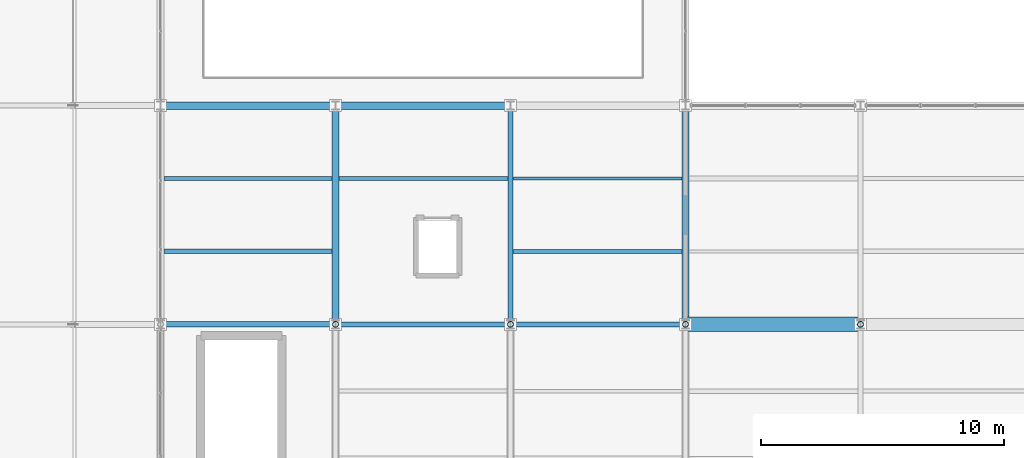
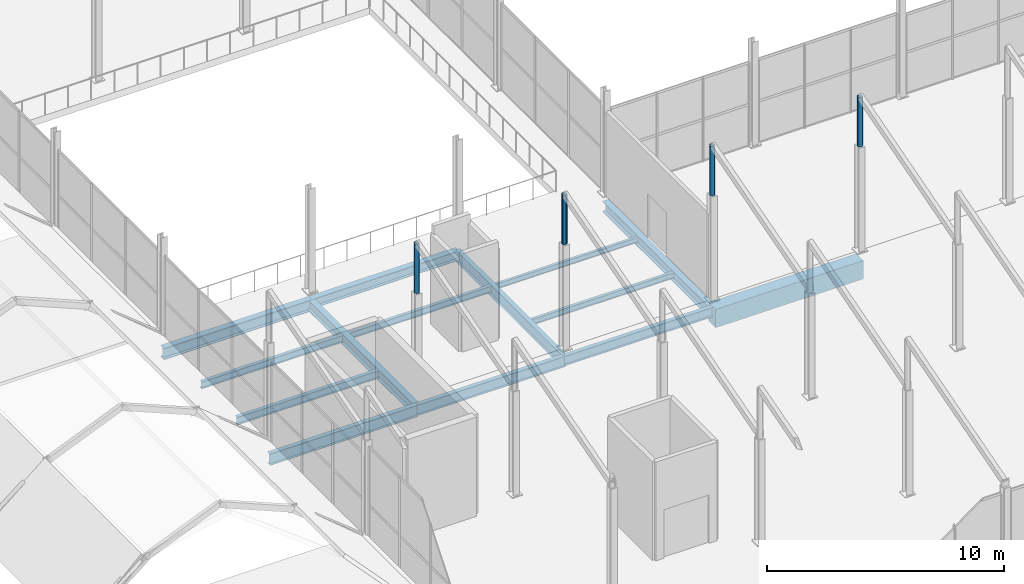
# One storey, part 37 of 141: 14 beams, 4 members.
"""IFC4 building model written with IfcOpenShell, lengths in metres."""

from ifc_helpers import new_model, si_unit, direction, frame, origin, origin_2d, place, context, subcontext, project, spatial, rectangle, hollow_circle, i_section, extrude, material, material_profile, profile_set, type_object, element, save


model = new_model("IFC4")

# Units and contexts
model_context = context("Model", 3, precision=1e-05, world=origin(), true_north=direction((0.0, 1.0)))
body_context = subcontext(model_context, "Body", "Model", "MODEL_VIEW")
ifc_project = project(units=[si_unit("LENGTHUNIT", "METRE"), si_unit("AREAUNIT", "SQUARE_METRE"), si_unit("VOLUMEUNIT", "CUBIC_METRE"), si_unit("PLANEANGLEUNIT", "RADIAN"), si_unit("MASSUNIT", "GRAM", prefix="KILO")], contexts=[model_context])

# Site, building, storey
site_placement = place(None, origin())
site = spatial("IfcSite", under=ifc_project, at=site_placement, CompositionType="ELEMENT")
building_placement = place(site_placement, origin())
building = spatial("IfcBuilding", under=site, at=building_placement, Name="Sundgate Opera House", CompositionType="ELEMENT")
storey_placement = place(building_placement, frame((0.0, 0.0, 11.39990234375)))
storey = spatial("IfcBuildingStorey", under=building, at=storey_placement, Name="L02", CompositionType="ELEMENT", Elevation=11.39990234375)

# Beams
ifc_material_1 = material(Name="Steel S355J2", Category="steel")
ifc_material_profile_1 = material_profile(ifc_material_1, i_section(OverallWidth=0.300048828125, OverallDepth=0.489990234375, WebThickness=0.011962890625, FlangeThickness=0.02294921875, at=origin_2d()), Name="HEA 500")
ifc_profile_set_1 = profile_set([ifc_material_profile_1], Name="Steel S355J2")
beam_type_1 = type_object("IfcBeamType", Name="BM-GR-HEA500", PredefinedType="BEAM", material=ifc_profile_set_1)
beam_1_placement = place(storey_placement, frame((102.60009765625, 42.0, -0.594970703125), z_axis=(1.0, 0.0, 0.0), x_axis=(0.0, 1.0, 0.0)))
element("IfcBeam", 1, at=beam_1_placement, inside=storey, type_object=beam_type_1, Name="L02 Primary E-W Girder B2010", PredefinedType="BEAM", context=body_context, shape_type="SweptSolid", body=[
    extrude(i_section(OverallWidth=0.300048828125, OverallDepth=0.489990234375, WebThickness=0.011962890625, FlangeThickness=0.02294921875, at=origin_2d()), origin(), (0.0, 0.0, 1.0), 7.199951171875),
])
ifc_material_2 = material(Name="Steel S355J2", Category="steel")
ifc_material_profile_2 = material_profile(ifc_material_2, i_section(OverallWidth=0.300048828125, OverallDepth=0.590087890625, WebThickness=0.012939453125, FlangeThickness=0.02490234375, at=origin_2d()), Name="HEA 600")
ifc_profile_set_2 = profile_set([ifc_material_profile_2], Name="Steel S355J2")
beam_type_2 = type_object("IfcBeamType", Name="BM-GR-HEA600", PredefinedType="BEAM", material=ifc_profile_set_2)
beam_2_placement = place(storey_placement, frame((95.39990234375, 42.0, -0.64501953125), z_axis=(1.0, 0.0, 0.0), x_axis=(0.0, 1.0, 0.0)))
element("IfcBeam", 2, at=beam_2_placement, inside=storey, type_object=beam_type_2, Name="L02 Primary E-W Girder B2009", PredefinedType="BEAM", context=body_context, shape_type="SweptSolid", body=[
    extrude(i_section(OverallWidth=0.300048828125, OverallDepth=0.590087890625, WebThickness=0.012939453125, FlangeThickness=0.02490234375, at=origin_2d()), origin(), (0.0, 0.0, 1.0), 7.2001953125),
])
ifc_material_3 = material(Name="Steel S355J2", Category="steel")
ifc_material_profile_3 = material_profile(ifc_material_3, i_section(OverallWidth=0.300048828125, OverallDepth=0.550048828125, WebThickness=0.014892578125, FlangeThickness=0.029052734375, at=origin_2d()), Name="HEB 550")
ifc_profile_set_3 = profile_set([ifc_material_profile_3], Name="Steel S355J2")
beam_type_3 = type_object("IfcBeamType", Name="BM-GR-HEB550", PredefinedType="BEAM", material=ifc_profile_set_3)
for number, where, z_axis, x_axis, name in (
    (3, (102.60009765625, 33.0, -0.625), (0.0, 1.0, 0.0), (-1.0, 0.0, 0.0), "L02 Primary N-S Girder B1860"),
    (4, (117.0, 33.0, -0.625), (0.0, 1.0, 0.0), (-1.0, 0.0, 0.0), "L02 Primary N-S Girder B1882"),
):
    element("IfcBeam", number, at=place(storey_placement, frame(where, z_axis=z_axis, x_axis=x_axis)), inside=storey, type_object=beam_type_3, Name=name, PredefinedType="BEAM", context=body_context, shape_type="SweptSolid", body=[
        extrude(i_section(OverallWidth=0.300048828125, OverallDepth=0.550048828125, WebThickness=0.014892578125, FlangeThickness=0.029052734375, at=origin_2d()), origin(), (0.0, 0.0, 1.0), 9.0),
    ])
ifc_material_4 = material(Name="Steel S355J2", Category="steel")
ifc_material_profile_4 = material_profile(ifc_material_4, i_section(OverallWidth=0.199951171875, OverallDepth=0.5, WebThickness=0.01025390625, FlangeThickness=0.01611328125, at=origin_2d()), Name="IPE 500")
ifc_profile_set_4 = profile_set([ifc_material_profile_4], Name="Steel S355J2")
beam_type_4 = type_object("IfcBeamType", Name="BM-GR-IPE500", PredefinedType="BEAM", material=ifc_profile_set_4)
beam_3_placement = place(storey_placement, frame((109.800048828125, 33.0, -0.599853515625), z_axis=(1.0, 0.0, 0.0), x_axis=(0.0, 1.0, 0.0)))
element("IfcBeam", 5, at=beam_3_placement, inside=storey, type_object=beam_type_4, Name="L02 Primary E-W Girder B1999", PredefinedType="BEAM", context=body_context, shape_type="SweptSolid", body=[
    extrude(i_section(OverallWidth=0.199951171875, OverallDepth=0.5, WebThickness=0.01025390625, FlangeThickness=0.01611328125, at=origin_2d()), origin(), (0.0, 0.0, 1.0), 7.199951171875),
])
ifc_material_5 = material(Name="Steel S355J2", Category="steel")
ifc_material_profile_5 = material_profile(ifc_material_5, i_section(OverallWidth=0.2099609375, OverallDepth=0.550048828125, WebThickness=0.010986328125, FlangeThickness=0.01708984375, at=origin_2d()), Name="IPE 550")
ifc_profile_set_5 = profile_set([ifc_material_profile_5], Name="Steel S355J2")
beam_type_5 = type_object("IfcBeamType", Name="BM-GR-IPE550", PredefinedType="BEAM", material=ifc_profile_set_5)
beam_4_placement = place(storey_placement, frame((102.60009765625, 33.0, -0.625), z_axis=(1.0, 0.0, 0.0), x_axis=(0.0, 1.0, 0.0)))
element("IfcBeam", 6, at=beam_4_placement, inside=storey, type_object=beam_type_5, Name="L02 Primary E-W Girder B1998", PredefinedType="BEAM", context=body_context, shape_type="SweptSolid", body=[
    extrude(i_section(OverallWidth=0.2099609375, OverallDepth=0.550048828125, WebThickness=0.010986328125, FlangeThickness=0.01708984375, at=origin_2d()), origin(), (0.0, 0.0, 1.0), 7.199951171875),
])
ifc_material_6 = material(Name="Steel S355J2", Category="steel")
ifc_material_profile_6 = material_profile(ifc_material_6, i_section(OverallWidth=0.219970703125, OverallDepth=0.60009765625, WebThickness=0.011962890625, FlangeThickness=0.01904296875, at=origin_2d()), Name="IPE 600")
ifc_profile_set_6 = profile_set([ifc_material_profile_6], Name="Steel S355J2")
beam_type_6 = type_object("IfcBeamType", Name="BM-GR-IPE600", PredefinedType="BEAM", material=ifc_profile_set_6)
beam_5_placement = place(storey_placement, frame((109.800048828125, 33.0, -0.64990234375), z_axis=(0.0, 1.0, 0.0), x_axis=(-1.0, 0.0, 0.0)))
element("IfcBeam", 7, at=beam_5_placement, inside=storey, type_object=beam_type_6, Name="L02 Primary N-S Girder B1871", PredefinedType="BEAM", context=body_context, shape_type="SweptSolid", body=[
    extrude(i_section(OverallWidth=0.219970703125, OverallDepth=0.60009765625, WebThickness=0.011962890625, FlangeThickness=0.01904296875, at=origin_2d()), origin(), (0.0, 0.0, 1.0), 9.0),
])
beam_6_placement = place(storey_placement, frame((95.39990234375, 33.0, -0.64990234375), z_axis=(1.0, 0.0, 0.0), x_axis=(0.0, 1.0, 0.0)))
element("IfcBeam", 8, at=beam_6_placement, inside=storey, type_object=beam_type_6, Name="L02 Primary E-W Girder B1997", PredefinedType="BEAM", context=body_context, shape_type="SweptSolid", body=[
    extrude(i_section(OverallWidth=0.219970703125, OverallDepth=0.60009765625, WebThickness=0.011962890625, FlangeThickness=0.01904296875, at=origin_2d()), origin(), (0.0, 0.0, 1.0), 7.2001953125),
])
ifc_material_7 = material(Name="Steel S355J2", Category="steel")
ifc_material_profile_7 = material_profile(ifc_material_7, i_section(OverallWidth=0.135009765625, OverallDepth=0.27001953125, WebThickness=0.006591796875, FlangeThickness=0.01025390625, at=origin_2d()), Name="IPE 270")
ifc_profile_set_7 = profile_set([ifc_material_profile_7], Name="Steel S355J2")
beam_type_7 = type_object("IfcBeamType", Name="BM-JS-IPE270", PredefinedType="JOIST", material=ifc_profile_set_7)
beam_7_placement = place(storey_placement, frame((109.909912109375, 39.0, -0.48486328125), z_axis=(1.0, 0.0, 0.0), x_axis=(0.0, 1.0, 0.0)))
element("IfcBeam", 9, at=beam_7_placement, inside=storey, type_object=beam_type_7, Name="L02 Secondary Floor Joist B2218", PredefinedType="JOIST", context=body_context, shape_type="SweptSolid", body=[
    extrude(i_section(OverallWidth=0.135009765625, OverallDepth=0.27001953125, WebThickness=0.006591796875, FlangeThickness=0.01025390625, at=origin_2d()), origin(), (0.0, 0.0, 1.0), 6.940185546875),
])
ifc_material_8 = material(Name="Steel S355J2", Category="steel")
ifc_material_profile_8 = material_profile(ifc_material_8, i_section(OverallWidth=0.14990234375, OverallDepth=0.300048828125, WebThickness=0.007080078125, FlangeThickness=0.0107421875, at=origin_2d()), Name="IPE 300")
ifc_profile_set_8 = profile_set([ifc_material_profile_8], Name="Steel S355J2")
beam_type_8 = type_object("IfcBeamType", Name="BM-JS-IPE300", PredefinedType="JOIST", material=ifc_profile_set_8)
beam_8_placement = place(storey_placement, frame((109.909912109375, 36.0, -0.5), z_axis=(1.0, 0.0, 0.0), x_axis=(0.0, 1.0, 0.0)))
element("IfcBeam", 10, at=beam_8_placement, inside=storey, type_object=beam_type_8, Name="L02 Secondary Floor Joist B2217", PredefinedType="JOIST", context=body_context, shape_type="SweptSolid", body=[
    extrude(i_section(OverallWidth=0.14990234375, OverallDepth=0.300048828125, WebThickness=0.007080078125, FlangeThickness=0.0107421875, at=origin_2d()), origin(), (0.0, 0.0, 1.0), 6.940185546875),
])
ifc_material_9 = material(Name="Steel S355J2", Category="steel")
ifc_material_profile_9 = material_profile(ifc_material_9, i_section(OverallWidth=0.159912109375, OverallDepth=0.330078125, WebThickness=0.007568359375, FlangeThickness=0.011474609375, at=origin_2d()), Name="IPE 330")
ifc_profile_set_9 = profile_set([ifc_material_profile_9], Name="Steel S355J2")
beam_type_9 = type_object("IfcBeamType", Name="BM-JS-IPE330", PredefinedType="JOIST", material=ifc_profile_set_9)
beam_9_placement = place(storey_placement, frame((102.75, 39.0, -0.514892578125), z_axis=(1.0, 0.0, 0.0), x_axis=(0.0, 1.0, 0.0)))
element("IfcBeam", 11, at=beam_9_placement, inside=storey, type_object=beam_type_9, Name="L02 Secondary Floor Joist B2216", PredefinedType="JOIST", context=body_context, shape_type="SweptSolid", body=[
    extrude(i_section(OverallWidth=0.159912109375, OverallDepth=0.330078125, WebThickness=0.007568359375, FlangeThickness=0.011474609375, at=origin_2d()), origin(), (0.0, 0.0, 1.0), 6.93994140625),
])
ifc_material_10 = material(Name="Steel S355J2", Category="steel")
ifc_material_profile_10 = material_profile(ifc_material_10, i_section(OverallWidth=0.169921875, OverallDepth=0.360107421875, WebThickness=0.008056640625, FlangeThickness=0.0126953125, at=origin_2d()), Name="IPE 360")
ifc_profile_set_10 = profile_set([ifc_material_profile_10], Name="Steel S355J2")
beam_type_10 = type_object("IfcBeamType", Name="BM-JS-IPE360", PredefinedType="JOIST", material=ifc_profile_set_10)
beam_10_placement = place(storey_placement, frame((95.550048828125, 39.0, -0.52978515625), z_axis=(1.0, 0.0, 0.0), x_axis=(0.0, 1.0, 0.0)))
element("IfcBeam", 12, at=beam_10_placement, inside=storey, type_object=beam_type_10, Name="L02 Secondary Floor Joist B2215", PredefinedType="JOIST", context=body_context, shape_type="SweptSolid", body=[
    extrude(i_section(OverallWidth=0.169921875, OverallDepth=0.360107421875, WebThickness=0.008056640625, FlangeThickness=0.0126953125, at=origin_2d()), origin(), (0.0, 0.0, 1.0), 6.89990234375),
])
ifc_material_11 = material(Name="Steel S355J2", Category="steel")
ifc_material_profile_11 = material_profile(ifc_material_11, i_section(OverallWidth=0.179931640625, OverallDepth=0.39990234375, WebThickness=0.008544921875, FlangeThickness=0.013427734375, at=origin_2d()), Name="IPE 400")
ifc_profile_set_11 = profile_set([ifc_material_profile_11], Name="Steel S355J2")
beam_type_11 = type_object("IfcBeamType", Name="BM-JS-IPE400", PredefinedType="JOIST", material=ifc_profile_set_11)
beam_11_placement = place(storey_placement, frame((95.550048828125, 36.0, -0.5498046875), z_axis=(1.0, 0.0, 0.0), x_axis=(0.0, 1.0, 0.0)))
element("IfcBeam", 13, at=beam_11_placement, inside=storey, type_object=beam_type_11, Name="L02 Secondary Floor Joist B2214", PredefinedType="JOIST", context=body_context, shape_type="SweptSolid", body=[
    extrude(i_section(OverallWidth=0.179931640625, OverallDepth=0.39990234375, WebThickness=0.008544921875, FlangeThickness=0.013427734375, at=origin_2d()), origin(), (0.0, 0.0, 1.0), 6.89990234375),
])
ifc_material_12 = material(Name="Concrete C40/50", Category="concrete")
ifc_material_profile_12 = material_profile(ifc_material_12, rectangle(XDim=0.60009765625, YDim=0.949951171875, at=origin_2d()), Name="RC 600x950")
ifc_profile_set_12 = profile_set([ifc_material_profile_12], Name="Concrete C40/50")
beam_type_12 = type_object("IfcBeamType", Name="BM-RC-600x950", PredefinedType="BEAM", material=ifc_profile_set_12)
beam_12_placement = place(storey_placement, frame((117.0, 33.0, -0.824951171875), z_axis=(1.0, 0.0, 0.0), x_axis=(0.0, 1.0, 0.0)))
element("IfcBeam", 14, at=beam_12_placement, inside=storey, type_object=beam_type_12, Name="L02 Primary E-W Girder B2000", PredefinedType="BEAM", context=body_context, shape_type="SweptSolid", body=[
    extrude(rectangle(XDim=0.60009765625, YDim=0.949951171875, at=origin_2d()), origin(), (0.0, 0.0, 1.0), 7.199951171875),
])

# Members
ifc_material_13 = material(Name="Steel S355J2", Category="steel")
ifc_material_profile_13 = material_profile(ifc_material_13, hollow_circle(Radius=0.122314453125, WallThickness=0.012451171875, at=origin_2d()), Name="CHS 244.5x12.5")
ifc_profile_set_13 = profile_set([ifc_material_profile_13], Name="Steel S355J2")
member_type = type_object("IfcMemberType", Name="MB-STRUT-CHS244", PredefinedType="STRUT", material=ifc_profile_set_13)
for number, where, z_axis, x_axis, name in (
    (15, (102.60009765625, 33.0, 5.400146484375), (0.0, 0.0, 1.0), (1.0, 0.0, 0.0), "L02 Sawtooth Northlight Post M0420"),
    (16, (109.800048828125, 33.0, 5.400146484375), (0.0, 0.0, 1.0), (1.0, 0.0, 0.0), "L02 Sawtooth Northlight Post M0422"),
    (17, (117.0, 33.0, 5.400146484375), (0.0, 0.0, 1.0), (1.0, 0.0, 0.0), "L02 Sawtooth Northlight Post M0424"),
    (18, (124.199951171875, 33.0, 5.400146484375), (0.0, 0.0, 1.0), (1.0, 0.0, 0.0), "L02 Sawtooth Northlight Post M0426"),
):
    element("IfcMember", number, at=place(storey_placement, frame(where, z_axis=z_axis, x_axis=x_axis)), inside=storey, type_object=member_type, Name=name, PredefinedType="STRUT", context=body_context, shape_type="SweptSolid", body=[
        extrude(hollow_circle(Radius=0.122314453125, WallThickness=0.012451171875, at=origin_2d()), origin(), (0.0, 0.0, 1.0), 2.550048828125),
    ])

save(model, "model.ifc")
